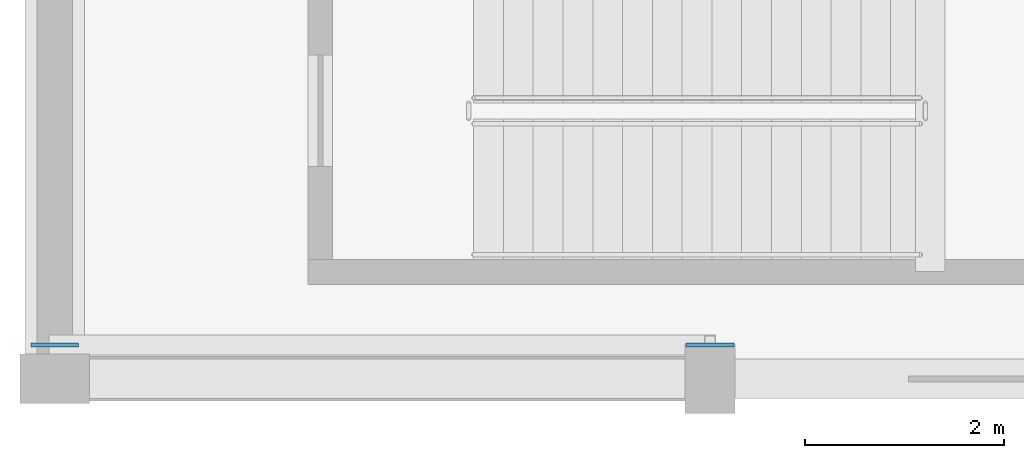
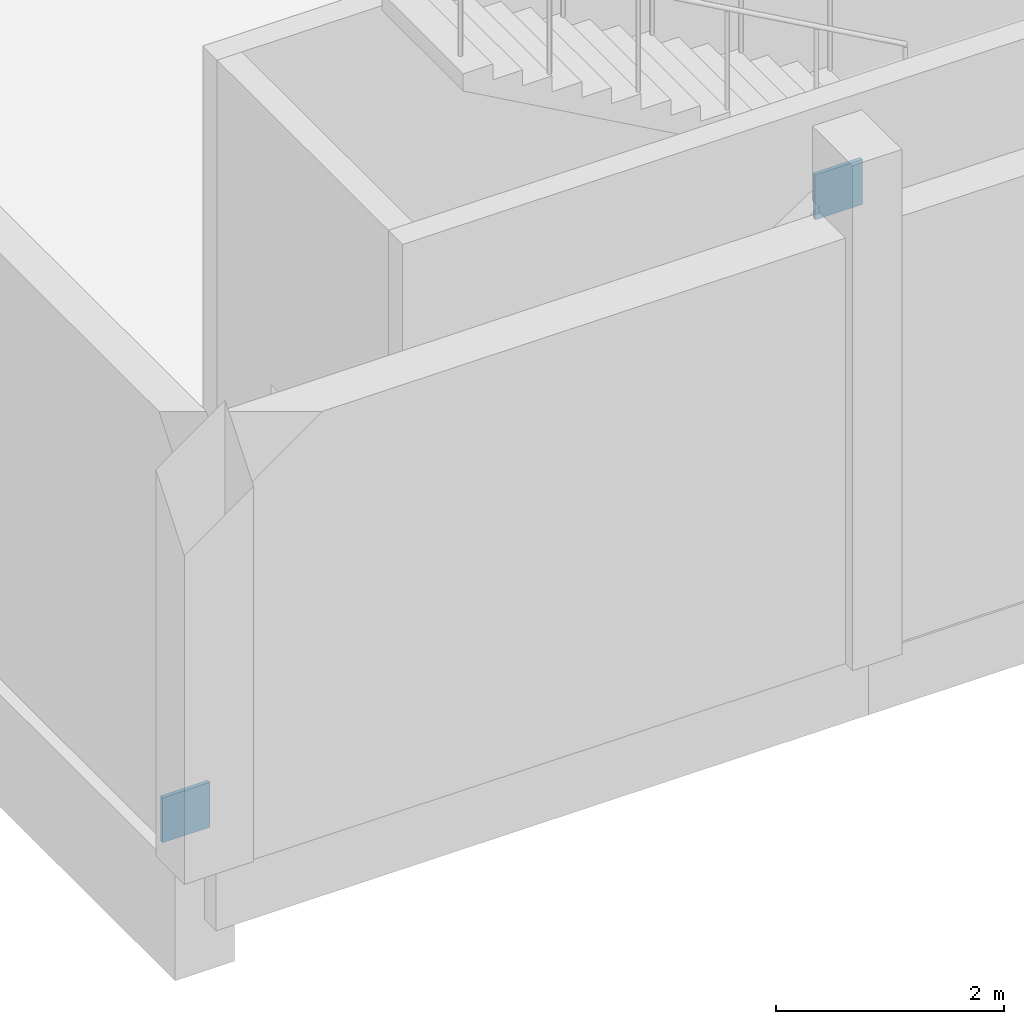
# One storey, part 39 of 72: 2 plates.
"""IFC4 building model written with IfcOpenShell, lengths in metres."""

from ifc_helpers import new_model, si_unit, direction, frame, origin, origin_2d, place, context, subcontext, project, spatial, rectangle, extrude, material, layer, layer_set, type_object, element, save


model = new_model("IFC4")

# Units and contexts
model_context = context("Model", 3, precision=1e-05, world=origin(), true_north=direction((0.0, 1.0)))
body_context = subcontext(model_context, "Body", "Model", "MODEL_VIEW")
ifc_project = project(units=[si_unit("LENGTHUNIT", "METRE"), si_unit("AREAUNIT", "SQUARE_METRE"), si_unit("VOLUMEUNIT", "CUBIC_METRE"), si_unit("PLANEANGLEUNIT", "RADIAN"), si_unit("MASSUNIT", "GRAM", prefix="KILO")], contexts=[model_context])

# Site, building, storey
site_placement = place(None, origin())
site = spatial("IfcSite", under=ifc_project, at=site_placement, CompositionType="ELEMENT")
building_placement = place(site_placement, origin())
building = spatial("IfcBuilding", under=site, at=building_placement, Name="Dornvale Research Institute", CompositionType="ELEMENT")
storey_placement = place(building_placement, origin())
storey = spatial("IfcBuildingStorey", under=building, at=storey_placement, Name="L00", CompositionType="ELEMENT", Elevation=0.0)

# Plates
ifc_material = material(Name="Steel ASTM A572 Grade 50", Category="steel")
ifc_layer = layer(ifc_material, 0.0400390625)
ifc_layer_set = layer_set([ifc_layer], Name="Steel ASTM A572 Grade 50")
plate_type = type_object("IfcPlateType", Name="SheetPlate_Base_40", PredefinedType="SHEET", material=ifc_layer_set)
for number, where, z_axis, x_axis, name in (
    (1, (0.0, 0.340087890625, 0.06005859375), (0.0, 0.0, 1.0), (1.0, 0.0, 0.0), "HSS brace node gusset and cap plate ND-071"),
    (2, (6.60009765625, 0.340087890625, 4.409912109375), (0.0, 0.0, 1.0), (1.0, 0.0, 0.0), "HSS brace node gusset and cap plate ND-072"),
):
    element("IfcPlate", number, at=place(storey_placement, frame(where, z_axis=z_axis, x_axis=x_axis)), inside=storey, type_object=plate_type, Name=name, PredefinedType="SHEET", context=body_context, shape_type="SweptSolid", body=[
        extrude(rectangle(XDim=0.47998046875, YDim=0.0400390625, at=origin_2d()), origin(), (0.0, 0.0, 1.0), 0.47998046875),
    ])

save(model, "model.ifc")
